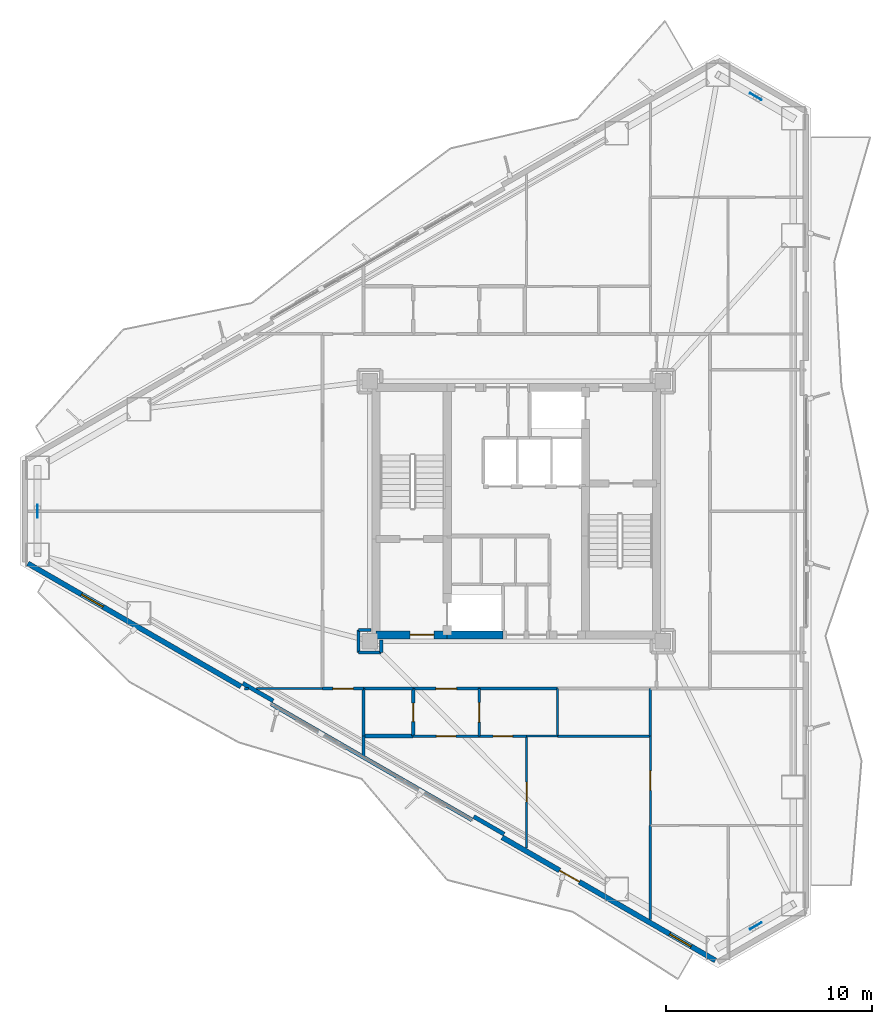
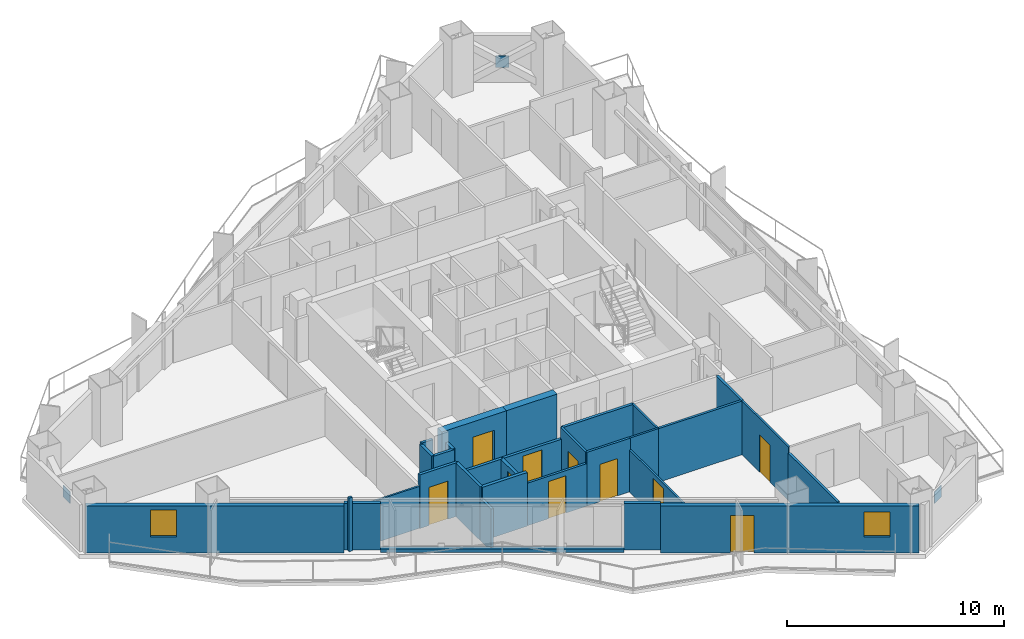
# One storey, part 15 of 22: 31 walls, 10 doors, 3 plates, 2 windows, 12 openings.
"""IFC4 building model written with IfcOpenShell, lengths in metres."""

from ifc_helpers import new_model, si_unit, direction, frame, frame_2d, origin, origin_2d, place, context, subcontext, project, spatial, rectangle, extrude, material, layer, layer_set, type_object, element, fill, save


model = new_model("IFC4")

# Units and contexts
model_context = context("Model", 3, precision=1e-05, world=origin(), true_north=direction((0.0, 1.0)))
body_context = subcontext(model_context, "Body", "Model", "MODEL_VIEW")
ifc_project = project(units=[si_unit("LENGTHUNIT", "METRE"), si_unit("AREAUNIT", "SQUARE_METRE"), si_unit("VOLUMEUNIT", "CUBIC_METRE"), si_unit("PLANEANGLEUNIT", "RADIAN"), si_unit("MASSUNIT", "GRAM", prefix="KILO")], contexts=[model_context])

# Site, building, storey
site_placement = place(None, origin())
site = spatial("IfcSite", under=ifc_project, at=site_placement, CompositionType="ELEMENT")
building_placement = place(site_placement, origin())
building = spatial("IfcBuilding", under=site, at=building_placement, Name="Mersakhor Tower and Convention Hall", CompositionType="ELEMENT")
storey_placement = place(building_placement, frame((0.0, 0.0, 113.10009765625)))
storey = spatial("IfcBuildingStorey", under=building, at=storey_placement, Name="L31", CompositionType="ELEMENT", Elevation=113.10009765625)

# Plates
ifc_material_1 = material(Name="Steel S460", Category="steel")
ifc_layer_1 = layer(ifc_material_1, 0.0400390625)
ifc_layer_set_1 = layer_set([ifc_layer_1], Name="Steel S460")
plate_type = type_object("IfcPlateType", Name="PL-GUSSET-40", PredefinedType="SHEET", material=ifc_layer_set_1)
for number, where, z_axis, x_axis, name in (
    (1, (40.606689453125, 46.853515625, 1.18994140625), (0.0, 0.0, 1.0), (-0.866025403784, 0.5, 0.0), "L31 X-Brace Crossing Gusset Node Plate"),
    (2, (40.606689453125, 6.646728515625, 1.18994140625), (0.0, 0.0, 1.0), (0.866025403784, 0.5, 0.0), "L31 X-Brace Crossing Gusset Node Plate"),
    (3, (5.78662109375, 26.75, 1.18994140625), (0.0, 0.0, 1.0), (0.0, -1.0, 0.0), "L31 X-Brace Crossing Gusset Node Plate"),
):
    element("IfcPlate", number, at=place(storey_placement, frame(where, z_axis=z_axis, x_axis=x_axis)), inside=storey, type_object=plate_type, Name=name, PredefinedType="SHEET", context=body_context, shape_type="SweptSolid", body=[
        extrude(rectangle(XDim=0.639892578125, YDim=0.0400390625, at=origin_2d()), origin(), (0.0, 0.0, 1.0), 0.639892578125),
    ])

# Wall, openings, door, window
ifc_material_2 = material(Name="Precast concrete C40/50", Category="concrete")
ifc_layer_2 = layer(ifc_material_2, 0.25)
ifc_layer_set_2 = layer_set([ifc_layer_2], Name="Precast concrete C40/50")
wall_type_1 = type_object("IfcWallType", Name="WL-EXT-250", PredefinedType="SOLIDWALL", material=ifc_layer_set_2)
wall_1_placement = place(storey_placement, frame((38.648681640625, 4.973388671875, 0.0), z_axis=(0.0, 0.0, 1.0), x_axis=(-0.866023023012, 0.500004123596, 0.0)))
wall_1 = element("IfcWall", 4, at=wall_1_placement, inside=storey, type_object=wall_type_1, Name="L31 Exterior Facade Wall F3-B1", PredefinedType="SOLIDWALL", context=body_context, shape_type="SweptSolid", body=[
    extrude(rectangle(XDim=11.9296875, YDim=0.25, at=frame_2d((5.96484375, 0.0))), origin(), (0.0, 0.0, 1.0), 2.639892578125),
])
opening_1_placement = place(wall_1_placement, frame((7.615966796875, 0.0, 0.0)))
opening_1 = element("IfcOpeningElement", 5, at=opening_1_placement, cuts=wall_1, Name="Opening BD-02", PredefinedType="OPENING", context=body_context, shape_type="SweptSolid", body=[
    extrude(rectangle(XDim=1.10009765625, YDim=2.10009765625, at=frame_2d((0.550048828125, 1.050048828125))), frame((0.0, 0.135009765625, 0.0), z_axis=(0.0, -1.0, 0.0), x_axis=(1.0, 0.0, 0.0)), (0.0, 0.0, 1.0), 0.27001953125),
])
opening_2_placement = place(wall_1_placement, frame((1.35498046875, 0.0, 0.89990234375)))
opening_2 = element("IfcOpeningElement", 6, at=opening_2_placement, cuts=wall_1, Name="Opening W-01", PredefinedType="OPENING", context=body_context, shape_type="SweptSolid", body=[
    extrude(rectangle(XDim=1.199951171875, YDim=1.39990234375, at=frame_2d((0.60009765625, 0.699951171875))), frame((0.0, 0.135009765625, 0.0), z_axis=(0.0, -1.0, 0.0), x_axis=(1.0, 0.0, 0.0)), (0.0, 0.0, 1.0), 0.27001953125),
])
ifc_material_3 = material(Name="Thermally broken dark aluminium and safety glass", Category="aluminium")
door_type_1 = type_object("IfcDoorType", Name="DR-BAL-110x210", OperationType="NOTDEFINED", PredefinedType="DOOR", material=ifc_material_3)
door_1_placement = place(opening_1_placement, origin())
door_1 = element("IfcDoor", 7, at=door_1_placement, inside=storey, type_object=door_type_1, Name="L31 Balcony Terrace Door F3-B1", OperationType="SINGLE_SWING_RIGHT", OverallHeight=2.10009765625, OverallWidth=1.10009765625, PredefinedType="DOOR", context=body_context, shape_type="SweptSolid", body=[
    extrude(rectangle(XDim=1.10009765625, YDim=2.10009765625, at=frame_2d((0.550048828125, 1.050048828125))), frame((0.0, 0.02490234375, 0.0), z_axis=(0.0, -1.0, 0.0), x_axis=(1.0, 0.0, 0.0)), (0.0, 0.0, 1.0), 0.050048828125),
])
fill(opening_1, door_1)
ifc_material_4 = material(Name="Dark solar low-E glazed aluminium window", Category="aluminium")
window_type = type_object("IfcWindowType", Name="WN-RES-120x150", PartitioningType="SINGLE_PANEL", PredefinedType="WINDOW", material=ifc_material_4)
window_1_placement = place(opening_2_placement, origin())
window_1 = element("IfcWindow", 8, at=window_1_placement, inside=storey, type_object=window_type, Name="L31 Bedroom Facade Window F3-B1-1", OverallHeight=1.39990234375, OverallWidth=1.199951171875, PartitioningType="SINGLE_PANEL", PredefinedType="WINDOW", context=body_context, shape_type="SweptSolid", body=[
    extrude(rectangle(XDim=1.199951171875, YDim=1.39990234375, at=frame_2d((0.60009765625, 0.699951171875))), frame((0.0, 0.030029296875, 0.0), z_axis=(0.0, -1.0, 0.0), x_axis=(1.0, 0.0, 0.0)), (0.0, 0.0, 1.0), 0.06005859375),
])
fill(opening_2, window_1)

# Wall, opening, window
wall_2_placement = place(storey_placement, frame((15.64794921875, 18.2529296875, 0.0), z_axis=(0.0, 0.0, 1.0), x_axis=(-0.866023023012, 0.500004123596, 0.0)))
wall_2 = element("IfcWall", 9, at=wall_2_placement, inside=storey, type_object=wall_type_1, Name="L31 Exterior Facade Wall F3-B3", PredefinedType="SOLIDWALL", context=body_context, shape_type="SweptSolid", body=[
    extrude(rectangle(XDim=11.9296875, YDim=0.25, at=frame_2d((5.96484375, 0.0))), origin(), (0.0, 0.0, 1.0), 2.639892578125),
])
opening_3_placement = place(wall_2_placement, frame((7.72509765625, 0.0, 0.89990234375)))
opening_3 = element("IfcOpeningElement", 10, at=opening_3_placement, cuts=wall_2, Name="Opening W-01", PredefinedType="OPENING", context=body_context, shape_type="SweptSolid", body=[
    extrude(rectangle(XDim=1.199951171875, YDim=1.5, at=frame_2d((0.60009765625, 0.75))), frame((0.0, 0.135009765625, 0.0), z_axis=(0.0, -1.0, 0.0), x_axis=(1.0, 0.0, 0.0)), (0.0, 0.0, 1.0), 0.27001953125),
])
window_2_placement = place(opening_3_placement, origin())
window_2 = element("IfcWindow", 11, at=window_2_placement, inside=storey, type_object=window_type, Name="L31 Facade Punched Window F3-B3", OverallHeight=1.5, OverallWidth=1.199951171875, PartitioningType="SINGLE_PANEL", PredefinedType="WINDOW", context=body_context, shape_type="SweptSolid", body=[
    extrude(rectangle(XDim=1.199951171875, YDim=1.5, at=frame_2d((0.60009765625, 0.75))), frame((0.0, 0.030029296875, 0.0), z_axis=(0.0, -1.0, 0.0), x_axis=(1.0, 0.0, 0.0)), (0.0, 0.0, 1.0), 0.06005859375),
])
fill(opening_3, window_2)

# Walls
ifc_material_5 = material(Name="Precast concrete C40/50", Category="concrete")
ifc_layer_3 = layer(ifc_material_5, 0.199951171875)
ifc_layer_set_3 = layer_set([ifc_layer_3], Name="Precast concrete C40/50")
wall_type_2 = type_object("IfcWallType", Name="WL-PAR-200", PredefinedType="PARAPET", material=ifc_layer_set_3)
wall_3_placement = place(storey_placement, frame((26.84521484375, 11.788330078125, 0.0), z_axis=(0.0, 0.0, 1.0), x_axis=(-0.866027010039, 0.499997217876, 0.0)))
element("IfcWall", 12, at=wall_3_placement, inside=storey, type_object=wall_type_2, Name="L31 Curtain Wall Upstand Sill F3-B2", PredefinedType="PARAPET", context=body_context, shape_type="SweptSolid", body=[
    extrude(rectangle(XDim=11.2294921875, YDim=0.199951171875, at=frame_2d((5.61474609375, 0.0))), origin(), (0.0, 0.0, 1.0), 0.199951171875),
])
wall_4_placement = place(storey_placement, frame((28.407470703125, 11.09423828125, 0.0), z_axis=(0.0, 0.0, 1.0), x_axis=(-0.86605165483, 0.499954529098, 0.0)))
element("IfcWall", 13, at=wall_4_placement, inside=storey, type_object=wall_type_2, Name="L31 Column Pier Cladding Wall F3-C1", PredefinedType="PARAPET", context=body_context, shape_type="SweptSolid", body=[
    extrude(rectangle(XDim=1.699951171875, YDim=0.199951171875, at=frame_2d((0.85009765625, 0.0))), origin(), (0.0, 0.0, 1.0), 2.639892578125),
])
wall_5_placement = place(storey_placement, frame((17.210205078125, 17.558837890625, 0.0), z_axis=(0.0, 0.0, 1.0), x_axis=(-0.866025371046, 0.500000056704, 0.0)))
element("IfcWall", 14, at=wall_5_placement, inside=storey, type_object=wall_type_2, Name="L31 Column Pier Cladding Wall F3-C2", PredefinedType="PARAPET", context=body_context, shape_type="SweptSolid", body=[
    extrude(rectangle(XDim=1.7001953125, YDim=0.199951171875, at=frame_2d((0.85009765625, 0.0))), origin(), (0.0, 0.0, 1.0), 2.639892578125),
])

# Wall, opening, door
ifc_material_6 = material(Name="Moisture-resistant acoustic drywall studwork", Category="other")
ifc_layer_4 = layer(ifc_material_6, 0.175048828125)
ifc_layer_set_4 = layer_set([ifc_layer_4], Name="Moisture-resistant acoustic drywall studwork")
wall_type_3 = type_object("IfcWallType", Name="WL-PLM-175", PredefinedType="PLUMBINGWALL", material=ifc_layer_set_4)
wall_6_placement = place(storey_placement, frame((24.0, 15.85009765625, 0.0), z_axis=(0.0, 0.0, 1.0), x_axis=(0.0, 1.0, 0.0)))
wall_6 = element("IfcWall", 15, at=wall_6_placement, inside=storey, type_object=wall_type_3, Name="L31 Interior Partition Wall P-066", PredefinedType="PLUMBINGWALL", context=body_context, shape_type="SweptSolid", body=[
    extrude(rectangle(XDim=2.2998046875, YDim=0.175048828125, at=frame_2d((1.14990234375, 0.0))), origin(), (0.0, 0.0, 1.0), 2.392822265625),
])
opening_4_placement = place(wall_6_placement, frame((0.699951171875, 0.0, 0.0)))
opening_4 = element("IfcOpeningElement", 16, at=opening_4_placement, cuts=wall_6, Name="Opening WD-01", PredefinedType="OPENING", context=body_context, shape_type="SweptSolid", body=[
    extrude(rectangle(XDim=0.89990234375, YDim=2.10009765625, at=frame_2d((0.449951171875, 1.050048828125))), frame((0.0, 0.097412109375, 0.0), z_axis=(0.0, -1.0, 0.0), x_axis=(1.0, 0.0, 0.0)), (0.0, 0.0, 1.0), 0.195068359375),
])
ifc_material_7 = material(Name="Solid-core hardwood leaf in painted steel frame", Category="steel")
door_type_2 = type_object("IfcDoorType", Name="DR-INT-WET-090x210", OperationType="NOTDEFINED", PredefinedType="DOOR", material=ifc_material_7)
door_2_placement = place(opening_4_placement, origin())
door_2 = element("IfcDoor", 17, at=door_2_placement, inside=storey, type_object=door_type_2, Name="L31 L31 Flat S2 Apartment Hall to L31 Flat S2 Bathroom Door", OperationType="SINGLE_SWING_RIGHT", OverallHeight=2.10009765625, OverallWidth=0.89990234375, PredefinedType="DOOR", context=body_context, shape_type="SweptSolid", body=[
    extrude(rectangle(XDim=0.89990234375, YDim=2.10009765625, at=frame_2d((0.449951171875, 1.050048828125))), frame((0.0, 0.02490234375, 0.0), z_axis=(0.0, -1.0, 0.0), x_axis=(1.0, 0.0, 0.0)), (0.0, 0.0, 1.0), 0.050048828125),
])
fill(opening_4, door_2)

# Walls
wall_7_placement = place(storey_placement, frame((24.0, 15.85009765625, 0.0), z_axis=(0.0, 0.0, 1.0), x_axis=(-1.0, 0.0, 0.0)))
element("IfcWall", 18, at=wall_7_placement, inside=storey, type_object=wall_type_3, Name="L31 Interior Partition Wall P-074", PredefinedType="PLUMBINGWALL", context=body_context, shape_type="SweptSolid", body=[
    extrude(rectangle(XDim=2.39990234375, YDim=0.175048828125, at=frame_2d((1.199951171875, 0.0))), origin(), (0.0, 0.0, 1.0), 3.02001953125),
])
ifc_material_8 = material(Name="Lightweight gypsum partition", Category="other")
ifc_layer_5 = layer(ifc_material_8, 0.10009765625)
ifc_layer_set_5 = layer_set([ifc_layer_5], Name="Lightweight gypsum partition")
wall_type_4 = type_object("IfcWallType", Name="WL-PRT-100", PredefinedType="PARTITIONING", material=ifc_layer_set_5)
wall_8_placement = place(storey_placement, frame((31.0, 15.85009765625, 0.0), z_axis=(0.0, 0.0, 1.0), x_axis=(-1.0, 0.0, 0.0)))
element("IfcWall", 19, at=wall_8_placement, inside=storey, type_object=wall_type_4, Name="L31 Interior Partition Wall P-076", PredefinedType="PARTITIONING", context=body_context, shape_type="SweptSolid", body=[
    extrude(rectangle(XDim=1.5, YDim=0.10009765625, at=frame_2d((0.75, 0.0))), origin(), (0.0, 0.0, 1.0), 3.02001953125),
])
wall_9_placement = place(storey_placement, frame((31.0, 18.14990234375, 0.0), z_axis=(0.0, 0.0, 1.0), x_axis=(0.0, -1.0, 0.0)))
element("IfcWall", 20, at=wall_9_placement, inside=storey, type_object=wall_type_4, Name="L31 Interior Partition Wall P-078", PredefinedType="PARTITIONING", context=body_context, shape_type="SweptSolid", body=[
    extrude(rectangle(XDim=2.2998046875, YDim=0.10009765625, at=frame_2d((1.14990234375, 0.0))), origin(), (0.0, 0.0, 1.0), 3.02001953125),
])
wall_10_placement = place(storey_placement, frame((16.411865234375, 18.14990234375, 0.0), z_axis=(0.0, 0.0, 1.0), x_axis=(1.0, 0.0, 0.0)))
element("IfcWall", 21, at=wall_10_placement, inside=storey, type_object=wall_type_4, Name="L31 Interior Partition Wall P-084", PredefinedType="PARTITIONING", context=body_context, shape_type="SweptSolid", body=[
    extrude(rectangle(XDim=3.188232421875, YDim=0.10009765625, at=frame_2d((1.59423828125, 0.0))), origin(), (0.0, 0.0, 1.0), 2.364990234375),
])

# Wall, opening, door
wall_11_placement = place(storey_placement, frame((29.5, 15.85009765625, 0.0), z_axis=(0.0, 0.0, 1.0), x_axis=(0.0, -1.0, 0.0)))
wall_11 = element("IfcWall", 22, at=wall_11_placement, inside=storey, type_object=wall_type_4, Name="L31 Interior Partition Wall P-104", PredefinedType="PARTITIONING", context=body_context, shape_type="SweptSolid", body=[
    extrude(rectangle(XDim=5.422607421875, YDim=0.10009765625, at=frame_2d((2.71142578125, 0.0))), origin(), (0.0, 0.0, 1.0), 2.364990234375),
])
opening_5_placement = place(wall_11_placement, frame((2.236083984375, 0.0, 0.0)))
opening_5 = element("IfcOpeningElement", 23, at=opening_5_placement, cuts=wall_11, Name="Opening RD-01", PredefinedType="OPENING", context=body_context, shape_type="SweptSolid", body=[
    extrude(rectangle(XDim=0.949951171875, YDim=2.10009765625, at=frame_2d((0.47509765625, 1.050048828125))), frame((0.0, 0.06005859375, 0.0), z_axis=(0.0, -1.0, 0.0), x_axis=(1.0, 0.0, 0.0)), (0.0, 0.0, 1.0), 0.1201171875),
])
ifc_material_9 = material(Name="Solid-core hardwood leaf in painted steel frame", Category="steel")
door_type_3 = type_object("IfcDoorType", Name="DR-INT-RM-095x210", OperationType="NOTDEFINED", PredefinedType="DOOR", material=ifc_material_9)
door_3_placement = place(opening_5_placement, origin())
door_3 = element("IfcDoor", 24, at=door_3_placement, inside=storey, type_object=door_type_3, Name="L31 L31 Flat S2 Living and Dining Room to L31 Flat S2 Master Bedroom Door", OperationType="SINGLE_SWING_LEFT", OverallHeight=2.10009765625, OverallWidth=0.949951171875, PredefinedType="DOOR", context=body_context, shape_type="SweptSolid", body=[
    extrude(rectangle(XDim=0.949951171875, YDim=2.10009765625, at=frame_2d((0.47509765625, 1.050048828125))), frame((0.0, 0.02490234375, 0.0), z_axis=(0.0, -1.0, 0.0), x_axis=(1.0, 0.0, 0.0)), (0.0, 0.0, 1.0), 0.050048828125),
])
fill(opening_5, door_3)

wall_12_placement = place(storey_placement, frame((35.5, 15.85009765625, 0.0), z_axis=(0.0, 0.0, 1.0), x_axis=(0.0, -1.0, 0.0)))
wall_12 = element("IfcWall", 25, at=wall_12_placement, inside=storey, type_object=wall_type_4, Name="L31 Interior Partition Wall P-106", PredefinedType="PARTITIONING", context=body_context, shape_type="SweptSolid", body=[
    extrude(rectangle(XDim=4.330078125, YDim=0.10009765625, at=frame_2d((2.1650390625, 0.0))), origin(), (0.0, 0.0, 1.0), 3.02001953125),
])
opening_6_placement = place(wall_12_placement, frame((1.68994140625, 0.0, 0.0)))
opening_6 = element("IfcOpeningElement", 26, at=opening_6_placement, cuts=wall_12, Name="Opening RD-01", PredefinedType="OPENING", context=body_context, shape_type="SweptSolid", body=[
    extrude(rectangle(XDim=0.949951171875, YDim=2.10009765625, at=frame_2d((0.47509765625, 1.050048828125))), frame((0.0, 0.06005859375, 0.0), z_axis=(0.0, -1.0, 0.0), x_axis=(1.0, 0.0, 0.0)), (0.0, 0.0, 1.0), 0.1201171875),
])
door_4_placement = place(opening_6_placement, origin())
door_4 = element("IfcDoor", 27, at=door_4_placement, inside=storey, type_object=door_type_3, Name="L31 L31 Flat S2 Master Bedroom to L31 Flat S2 Dining Room Door", OperationType="SINGLE_SWING_RIGHT", OverallHeight=2.10009765625, OverallWidth=0.949951171875, PredefinedType="DOOR", context=body_context, shape_type="SweptSolid", body=[
    extrude(rectangle(XDim=0.949951171875, YDim=2.10009765625, at=frame_2d((0.47509765625, 1.050048828125))), frame((0.0, 0.02490234375, 0.0), z_axis=(0.0, -1.0, 0.0), x_axis=(1.0, 0.0, 0.0)), (0.0, 0.0, 1.0), 0.050048828125),
])
fill(opening_6, door_4)

ifc_material_10 = material(Name="Gypsum board acoustic partition", Category="other")
ifc_layer_6 = layer(ifc_material_10, 0.125)
ifc_layer_set_6 = layer_set([ifc_layer_6], Name="Gypsum board acoustic partition")
wall_type_5 = type_object("IfcWallType", Name="WL-PRT-125", PredefinedType="PARTITIONING", material=ifc_layer_set_6)
wall_13_placement = place(storey_placement, frame((27.199951171875, 15.85009765625, 0.0), z_axis=(0.0, 0.0, 1.0), x_axis=(-1.0, 0.0, 0.0)))
wall_13 = element("IfcWall", 28, at=wall_13_placement, inside=storey, type_object=wall_type_5, Name="L31 Interior Partition Wall P-065", PredefinedType="PARTITIONING", context=body_context, shape_type="SweptSolid", body=[
    extrude(rectangle(XDim=3.199951171875, YDim=0.125, at=frame_2d((1.60009765625, 0.0))), origin(), (0.0, 0.0, 1.0), 2.392822265625),
])
opening_7_placement = place(wall_13_placement, frame((1.125, 0.0, 0.0)))
opening_7 = element("IfcOpeningElement", 29, at=opening_7_placement, cuts=wall_13, Name="Opening RD-01", PredefinedType="OPENING", context=body_context, shape_type="SweptSolid", body=[
    extrude(rectangle(XDim=0.949951171875, YDim=2.10009765625, at=frame_2d((0.47509765625, 1.050048828125))), frame((0.0, 0.072509765625, 0.0), z_axis=(0.0, -1.0, 0.0), x_axis=(1.0, 0.0, 0.0)), (0.0, 0.0, 1.0), 0.14501953125),
])
door_5_placement = place(opening_7_placement, origin())
door_5 = element("IfcDoor", 30, at=door_5_placement, inside=storey, type_object=door_type_3, Name="L31 L31 Flat S2 Apartment Hall to L31 Flat S2 Living and Dining Room Door", OperationType="SINGLE_SWING_RIGHT", OverallHeight=2.10009765625, OverallWidth=0.949951171875, PredefinedType="DOOR", context=body_context, shape_type="SweptSolid", body=[
    extrude(rectangle(XDim=0.949951171875, YDim=2.10009765625, at=frame_2d((0.47509765625, 1.050048828125))), frame((0.0, 0.02490234375, 0.0), z_axis=(0.0, -1.0, 0.0), x_axis=(1.0, 0.0, 0.0)), (0.0, 0.0, 1.0), 0.050048828125),
])
fill(opening_7, door_5)

wall_14_placement = place(storey_placement, frame((27.199951171875, 18.14990234375, 0.0), z_axis=(0.0, 0.0, 1.0), x_axis=(0.0, -1.0, 0.0)))
wall_14 = element("IfcWall", 31, at=wall_14_placement, inside=storey, type_object=wall_type_5, Name="L31 Interior Partition Wall P-067", PredefinedType="PARTITIONING", context=body_context, shape_type="SweptSolid", body=[
    extrude(rectangle(XDim=2.2998046875, YDim=0.125, at=frame_2d((1.14990234375, 0.0))), origin(), (0.0, 0.0, 1.0), 3.02001953125),
])
opening_8_placement = place(wall_14_placement, frame((0.675048828125, 0.0, 0.0)))
opening_8 = element("IfcOpeningElement", 32, at=opening_8_placement, cuts=wall_14, Name="Opening RD-01", PredefinedType="OPENING", context=body_context, shape_type="SweptSolid", body=[
    extrude(rectangle(XDim=0.949951171875, YDim=2.10009765625, at=frame_2d((0.47509765625, 1.050048828125))), frame((0.0, 0.072509765625, 0.0), z_axis=(0.0, -1.0, 0.0), x_axis=(1.0, 0.0, 0.0)), (0.0, 0.0, 1.0), 0.14501953125),
])
door_6_placement = place(opening_8_placement, origin())
door_6 = element("IfcDoor", 33, at=door_6_placement, inside=storey, type_object=door_type_3, Name="L31 L31 Flat S2 Apartment Hall to L31 Flat S2 Kitchen Door", OperationType="SINGLE_SWING_LEFT", OverallHeight=2.10009765625, OverallWidth=0.949951171875, PredefinedType="DOOR", context=body_context, shape_type="SweptSolid", body=[
    extrude(rectangle(XDim=0.949951171875, YDim=2.10009765625, at=frame_2d((0.47509765625, 1.050048828125))), frame((0.0, 0.02490234375, 0.0), z_axis=(0.0, -1.0, 0.0), x_axis=(1.0, 0.0, 0.0)), (0.0, 0.0, 1.0), 0.050048828125),
])
fill(opening_8, door_6)

wall_15_placement = place(storey_placement, frame((29.5, 15.85009765625, 0.0), z_axis=(0.0, 0.0, 1.0), x_axis=(-1.0, 0.0, 0.0)))
wall_15 = element("IfcWall", 34, at=wall_15_placement, inside=storey, type_object=wall_type_5, Name="L31 Interior Partition Wall P-077", PredefinedType="PARTITIONING", context=body_context, shape_type="SweptSolid", body=[
    extrude(rectangle(XDim=2.300048828125, YDim=0.125, at=frame_2d((1.14990234375, 0.0))), origin(), (0.0, 0.0, 1.0), 3.02001953125),
])
opening_9_placement = place(wall_15_placement, frame((0.675048828125, 0.0, 0.0)))
opening_9 = element("IfcOpeningElement", 35, at=opening_9_placement, cuts=wall_15, Name="Opening RD-01", PredefinedType="OPENING", context=body_context, shape_type="SweptSolid", body=[
    extrude(rectangle(XDim=0.949951171875, YDim=2.10009765625, at=frame_2d((0.47509765625, 1.050048828125))), frame((0.0, 0.072509765625, 0.0), z_axis=(0.0, -1.0, 0.0), x_axis=(1.0, 0.0, 0.0)), (0.0, 0.0, 1.0), 0.14501953125),
])
door_7_placement = place(opening_9_placement, origin())
door_7 = element("IfcDoor", 36, at=door_7_placement, inside=storey, type_object=door_type_3, Name="L31 L31 Flat S2 Kitchen to L31 Flat S2 Living and Dining Room Door", OperationType="SINGLE_SWING_LEFT", OverallHeight=2.10009765625, OverallWidth=0.949951171875, PredefinedType="DOOR", context=body_context, shape_type="SweptSolid", body=[
    extrude(rectangle(XDim=0.949951171875, YDim=2.10009765625, at=frame_2d((0.47509765625, 1.050048828125))), frame((0.0, 0.02490234375, 0.0), z_axis=(0.0, -1.0, 0.0), x_axis=(1.0, 0.0, 0.0)), (0.0, 0.0, 1.0), 0.050048828125),
])
fill(opening_9, door_7)

# Walls
wall_16_placement = place(storey_placement, frame((15.825927734375, 18.14990234375, 0.0), z_axis=(0.0, 0.0, 1.0), x_axis=(1.0, 0.0, 0.0)))
element("IfcWall", 37, at=wall_16_placement, inside=storey, type_object=wall_type_5, Name="L31 Interior Partition Wall P-083", PredefinedType="PARTITIONING", context=body_context, shape_type="SweptSolid", body=[
    extrude(rectangle(XDim=0.185302734375, YDim=0.125, at=frame_2d((0.0927734375, 0.0))), origin(), (0.0, 0.0, 1.0), 3.02001953125),
])
wall_17_placement = place(storey_placement, frame((31.0, 15.85009765625, 0.0), z_axis=(0.0, 0.0, 1.0), x_axis=(1.0, 0.0, 0.0)))
element("IfcWall", 38, at=wall_17_placement, inside=storey, type_object=wall_type_5, Name="L31 Interior Partition Wall P-105", PredefinedType="PARTITIONING", context=body_context, shape_type="SweptSolid", body=[
    extrude(rectangle(XDim=4.5, YDim=0.125, at=frame_2d((2.25, 0.0))), origin(), (0.0, 0.0, 1.0), 3.02001953125),
])
wall_18_placement = place(storey_placement, frame((35.5, 11.52001953125, 0.0), z_axis=(0.0, 0.0, 1.0), x_axis=(0.0, -1.0, 0.0)))
element("IfcWall", 39, at=wall_18_placement, inside=storey, type_object=wall_type_5, Name="L31 Interior Partition Wall P-107", PredefinedType="PARTITIONING", context=body_context, shape_type="SweptSolid", body=[
    extrude(rectangle(XDim=4.556640625, YDim=0.125, at=frame_2d((2.2783203125, 0.0))), origin(), (0.0, 0.0, 1.0), 2.684326171875),
])
wall_19_placement = place(storey_placement, frame((35.5, 15.85009765625, 0.0), z_axis=(0.0, 0.0, 1.0), x_axis=(0.0, 1.0, 0.0)))
element("IfcWall", 40, at=wall_19_placement, inside=storey, type_object=wall_type_5, Name="L31 Interior Partition Wall P-113", PredefinedType="PARTITIONING", context=body_context, shape_type="SweptSolid", body=[
    extrude(rectangle(XDim=2.2998046875, YDim=0.125, at=frame_2d((1.14990234375, 0.0))), origin(), (0.0, 0.0, 1.0), 3.02001953125),
])
ifc_material_11 = material(Name="Fire-rated gypsum board stud partition", Category="other")
ifc_layer_7 = layer(ifc_material_11, 0.14990234375)
ifc_layer_set_7 = layer_set([ifc_layer_7], Name="Fire-rated gypsum board stud partition")
wall_type_6 = type_object("IfcWallType", Name="WL-PRT-150", PredefinedType="PARTITIONING", material=ifc_layer_set_7)
wall_20_placement = place(storey_placement, frame((21.35009765625, 19.89990234375, 0.0), z_axis=(0.0, 0.0, 1.0), x_axis=(1.0, 0.0, 0.0)))
element("IfcWall", 41, at=wall_20_placement, inside=storey, type_object=wall_type_6, Name="L31 Interior Partition Wall P-021", PredefinedType="PARTITIONING", context=body_context, shape_type="SweptSolid", body=[
    extrude(rectangle(XDim=1.099853515625, YDim=0.14990234375, at=frame_2d((0.5498046875, 0.0))), origin(), (0.0, 0.0, 1.0), 2.392822265625),
])
wall_21_placement = place(storey_placement, frame((22.449951171875, 19.89990234375, 0.0), z_axis=(0.0, 0.0, 1.0), x_axis=(0.0, 1.0, 0.0)))
element("IfcWall", 42, at=wall_21_placement, inside=storey, type_object=wall_type_6, Name="L31 Interior Partition Wall P-022", PredefinedType="PARTITIONING", context=body_context, shape_type="SweptSolid", body=[
    extrude(rectangle(XDim=0.60009765625, YDim=0.14990234375, at=frame_2d((0.300048828125, 0.0))), origin(), (0.0, 0.0, 1.0), 2.392822265625),
])
wall_22_placement = place(storey_placement, frame((31.0, 18.14990234375, 0.0), z_axis=(0.0, 0.0, 1.0), x_axis=(-1.0, 0.0, 0.0)))
element("IfcWall", 43, at=wall_22_placement, inside=storey, type_object=wall_type_6, Name="L31 Interior Partition Wall P-028", PredefinedType="PARTITIONING", context=body_context, shape_type="SweptSolid", body=[
    extrude(rectangle(XDim=3.800048828125, YDim=0.14990234375, at=frame_2d((1.89990234375, 0.0))), origin(), (0.0, 0.0, 1.0), 3.02001953125),
])

# Wall, opening, door
wall_23_placement = place(storey_placement, frame((27.199951171875, 18.14990234375, 0.0), z_axis=(0.0, 0.0, 1.0), x_axis=(-1.0, 0.0, 0.0)))
wall_23 = element("IfcWall", 44, at=wall_23_placement, inside=storey, type_object=wall_type_6, Name="L31 Interior Partition Wall P-029", PredefinedType="PARTITIONING", context=body_context, shape_type="SweptSolid", body=[
    extrude(rectangle(XDim=3.199951171875, YDim=0.14990234375, at=frame_2d((1.60009765625, 0.0))), origin(), (0.0, 0.0, 1.0), 2.392822265625),
])
opening_10_placement = place(wall_23_placement, frame((1.10009765625, 0.0, 0.0)))
opening_10 = element("IfcOpeningElement", 45, at=opening_10_placement, cuts=wall_23, Name="Opening FD-01", PredefinedType="OPENING", context=body_context, shape_type="SweptSolid", body=[
    extrude(rectangle(XDim=1.0, YDim=2.14990234375, at=frame_2d((0.5, 1.074951171875))), frame((0.0, 0.0849609375, 0.0), z_axis=(0.0, -1.0, 0.0), x_axis=(1.0, 0.0, 0.0)), (0.0, 0.0, 1.0), 0.169921875),
])
ifc_material_12 = material(Name="Fire-rated hardwood leaf and painted steel frame", Category="steel")
door_type_4 = type_object("IfcDoorType", Name="DR-INT-FLT-100x215", OperationType="NOTDEFINED", PredefinedType="DOOR", material=ifc_material_12)
door_8_placement = place(opening_10_placement, origin())
door_8 = element("IfcDoor", 46, at=door_8_placement, inside=storey, type_object=door_type_4, Name="L31 Apartment Entrance Door (Residential Ring Corridor to L31 Flat S2 Apartment Hall)", OperationType="SINGLE_SWING_LEFT", OverallHeight=2.14990234375, OverallWidth=1.0, PredefinedType="DOOR", context=body_context, shape_type="SweptSolid", body=[
    extrude(rectangle(XDim=1.0, YDim=2.14990234375, at=frame_2d((0.5, 1.074951171875))), frame((0.0, 0.02490234375, 0.0), z_axis=(0.0, -1.0, 0.0), x_axis=(1.0, 0.0, 0.0)), (0.0, 0.0, 1.0), 0.050048828125),
])
fill(opening_10, door_8)

# Wall
wall_24_placement = place(storey_placement, frame((24.0, 18.14990234375, 0.0), z_axis=(0.0, 0.0, 1.0), x_axis=(-1.0, 0.0, 0.0)))
element("IfcWall", 47, at=wall_24_placement, inside=storey, type_object=wall_type_6, Name="L31 Interior Partition Wall P-030", PredefinedType="PARTITIONING", context=body_context, shape_type="SweptSolid", body=[
    extrude(rectangle(XDim=2.39990234375, YDim=0.14990234375, at=frame_2d((1.199951171875, 0.0))), origin(), (0.0, 0.0, 1.0), 2.392822265625),
])

# Wall, opening, door
wall_25_placement = place(storey_placement, frame((21.60009765625, 18.14990234375, 0.0), z_axis=(0.0, 0.0, 1.0), x_axis=(-1.0, 0.0, 0.0)))
wall_25 = element("IfcWall", 48, at=wall_25_placement, inside=storey, type_object=wall_type_6, Name="L31 Interior Partition Wall P-031", PredefinedType="PARTITIONING", context=body_context, shape_type="SweptSolid", body=[
    extrude(rectangle(XDim=2.0, YDim=0.14990234375, at=frame_2d((1.0, 0.0))), origin(), (0.0, 0.0, 1.0), 3.02001953125),
])
opening_11_placement = place(wall_25_placement, frame((0.5, 0.0, 0.0)))
opening_11 = element("IfcOpeningElement", 49, at=opening_11_placement, cuts=wall_25, Name="Opening FD-01", PredefinedType="OPENING", context=body_context, shape_type="SweptSolid", body=[
    extrude(rectangle(XDim=1.0, YDim=2.14990234375, at=frame_2d((0.5, 1.074951171875))), frame((0.0, 0.0849609375, 0.0), z_axis=(0.0, -1.0, 0.0), x_axis=(1.0, 0.0, 0.0)), (0.0, 0.0, 1.0), 0.169921875),
])
door_9_placement = place(opening_11_placement, origin())
door_9 = element("IfcDoor", 50, at=door_9_placement, inside=storey, type_object=door_type_4, Name="L31 Residential Ring Corridor to L31 South-West Residents Seminar Room Door", OperationType="SINGLE_SWING_RIGHT", OverallHeight=2.14990234375, OverallWidth=1.0, PredefinedType="DOOR", context=body_context, shape_type="SweptSolid", body=[
    extrude(rectangle(XDim=1.0, YDim=2.14990234375, at=frame_2d((0.5, 1.074951171875))), frame((0.0, 0.02490234375, 0.0), z_axis=(0.0, -1.0, 0.0), x_axis=(1.0, 0.0, 0.0)), (0.0, 0.0, 1.0), 0.050048828125),
])
fill(opening_11, door_9)

# Walls
wall_26_placement = place(storey_placement, frame((21.949951171875, 21.0, 0.0), z_axis=(0.0, 0.0, 1.0), x_axis=(-1.0, 0.0, 0.0)))
element("IfcWall", 51, at=wall_26_placement, inside=storey, type_object=wall_type_6, Name="L31 Interior Partition Wall P-048", PredefinedType="PARTITIONING", context=body_context, shape_type="SweptSolid", body=[
    extrude(rectangle(XDim=0.599853515625, YDim=0.14990234375, at=frame_2d((0.2998046875, 0.0))), origin(), (0.0, 0.0, 1.0), 2.46826171875),
])
wall_27_placement = place(storey_placement, frame((21.35009765625, 21.0, 0.0), z_axis=(0.0, 0.0, 1.0), x_axis=(0.0, -1.0, 0.0)))
element("IfcWall", 52, at=wall_27_placement, inside=storey, type_object=wall_type_6, Name="L31 Interior Partition Wall P-049", PredefinedType="PARTITIONING", context=body_context, shape_type="SweptSolid", body=[
    extrude(rectangle(XDim=1.10009765625, YDim=0.14990234375, at=frame_2d((0.550048828125, 0.0))), origin(), (0.0, 0.0, 1.0), 2.392822265625),
])
wall_28_placement = place(storey_placement, frame((21.60009765625, 15.85009765625, 0.0), z_axis=(0.0, 0.0, 1.0), x_axis=(0.0, 1.0, 0.0)))
element("IfcWall", 53, at=wall_28_placement, inside=storey, type_object=wall_type_6, Name="L31 Interior Partition Wall P-075", PredefinedType="PARTITIONING", context=body_context, shape_type="SweptSolid", body=[
    extrude(rectangle(XDim=2.2998046875, YDim=0.14990234375, at=frame_2d((1.14990234375, 0.0))), origin(), (0.0, 0.0, 1.0), 3.02001953125),
])
wall_29_placement = place(storey_placement, frame((21.60009765625, 15.85009765625, 0.0), z_axis=(0.0, 0.0, 1.0), x_axis=(0.0, -1.0, 0.0)))
element("IfcWall", 54, at=wall_29_placement, inside=storey, type_object=wall_type_6, Name="L31 Interior Partition Wall P-085", PredefinedType="PARTITIONING", context=body_context, shape_type="SweptSolid", body=[
    extrude(rectangle(XDim=0.991943359375, YDim=0.14990234375, at=frame_2d((0.49609375, 0.0))), origin(), (0.0, 0.0, 1.0), 2.364990234375),
])
ifc_material_13 = material(Name="Concrete C60/75", Category="concrete")
ifc_layer_8 = layer(ifc_material_13, 0.39990234375)
ifc_layer_set_8 = layer_set([ifc_layer_8], Name="Concrete C60/75")
wall_type_7 = type_object("IfcWallType", Name="WL-SHR-400", PredefinedType="SHEAR", material=ifc_layer_set_8)
wall_30_placement = place(storey_placement, frame((28.35009765625, 20.75, 0.0), z_axis=(0.0, 0.0, 1.0), x_axis=(-1.0, 0.0, 0.0)))
element("IfcWall", 55, at=wall_30_placement, inside=storey, type_object=wall_type_7, Name="L31 Core Wall CW-S3", PredefinedType="SHEAR", context=body_context, shape_type="SweptSolid", body=[
    extrude(rectangle(XDim=2.7001953125, YDim=0.39990234375, at=frame_2d((1.35009765625, 0.0))), origin(), (0.0, 0.0, 1.0), 3.02001953125),
])

# Wall, opening, door
wall_31_placement = place(storey_placement, frame((25.64990234375, 20.75, 0.0), z_axis=(0.0, 0.0, 1.0), x_axis=(-1.0, 0.0, 0.0)))
wall_31 = element("IfcWall", 56, at=wall_31_placement, inside=storey, type_object=wall_type_7, Name="L31 Core Wall CW-S4", PredefinedType="SHEAR", context=body_context, shape_type="SweptSolid", body=[
    extrude(rectangle(XDim=3.449951171875, YDim=0.39990234375, at=frame_2d((1.72509765625, 0.0))), origin(), (0.0, 0.0, 1.0), 3.02001953125),
])
opening_12_placement = place(wall_31_placement, frame((0.64990234375, 0.0, 0.0)))
opening_12 = element("IfcOpeningElement", 57, at=opening_12_placement, cuts=wall_31, Name="Opening SD-01", PredefinedType="OPENING", context=body_context, shape_type="SweptSolid", body=[
    extrude(rectangle(XDim=1.14990234375, YDim=2.14990234375, at=frame_2d((0.574951171875, 1.074951171875))), frame((0.0, 0.2099609375, 0.0), z_axis=(0.0, -1.0, 0.0), x_axis=(1.0, 0.0, 0.0)), (0.0, 0.0, 1.0), 0.419921875),
])
ifc_material_14 = material(Name="Fire-rated hardwood leaf and painted steel frame", Category="steel")
door_type_5 = type_object("IfcDoorType", Name="DR-INT-STAIR-115x215", OperationType="NOTDEFINED", PredefinedType="DOOR", material=ifc_material_14)
door_10_placement = place(opening_12_placement, origin())
door_10 = element("IfcDoor", 58, at=door_10_placement, inside=storey, type_object=door_type_5, Name="L31 Firefighting Lobby West Fire Door", OperationType="SINGLE_SWING_LEFT", OverallHeight=2.14990234375, OverallWidth=1.14990234375, PredefinedType="DOOR", context=body_context, shape_type="SweptSolid", body=[
    extrude(rectangle(XDim=1.14990234375, YDim=2.14990234375, at=frame_2d((0.574951171875, 1.074951171875))), frame((0.0, 0.02490234375, 0.0), z_axis=(0.0, -1.0, 0.0), x_axis=(1.0, 0.0, 0.0)), (0.0, 0.0, 1.0), 0.050048828125),
])
fill(opening_12, door_10)

save(model, "model.ifc")
